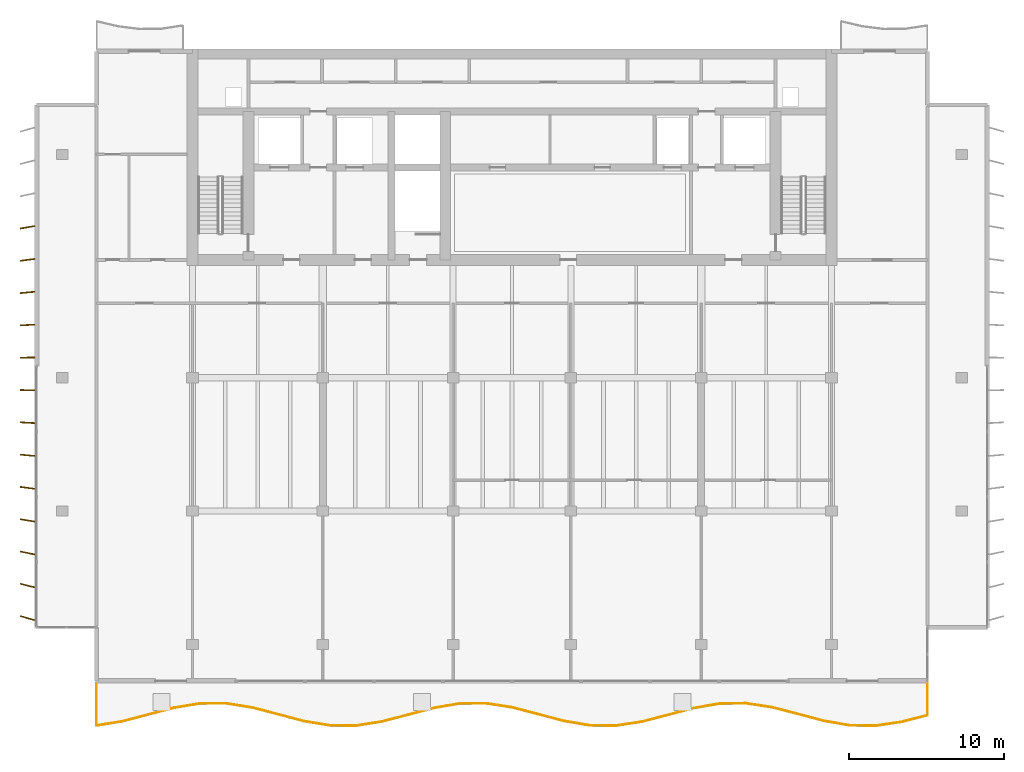
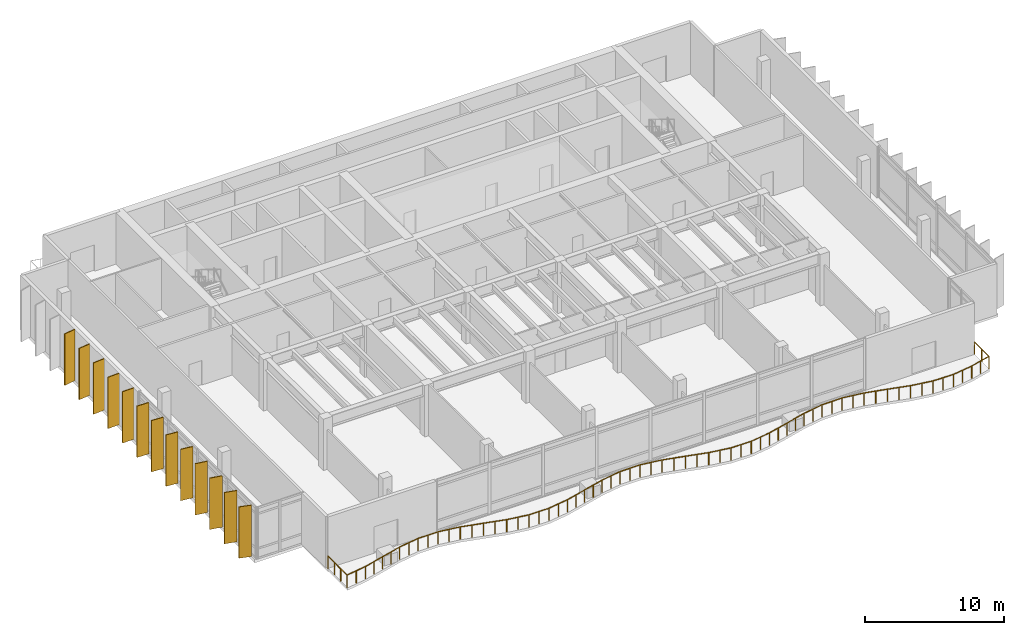
# One storey, part 9 of 14: 13 shading devices, 1 railing.
"""IFC4 building model written with IfcOpenShell, lengths in metres."""

from ifc_helpers import new_model, si_unit, direction, frame, origin, origin_2d, place, context, subcontext, project, spatial, rectangle, circle, extrude, material, material_profile, profile_set, type_object, element, save


model = new_model("IFC4")

# Units and contexts
model_context = context("Model", 3, precision=1e-05, world=origin(), true_north=direction((0.0, 1.0)))
body_context = subcontext(model_context, "Body", "Model", "MODEL_VIEW")
ifc_project = project(units=[si_unit("LENGTHUNIT", "METRE"), si_unit("AREAUNIT", "SQUARE_METRE"), si_unit("VOLUMEUNIT", "CUBIC_METRE"), si_unit("PLANEANGLEUNIT", "RADIAN"), si_unit("MASSUNIT", "GRAM", prefix="KILO")], contexts=[model_context])

# Site, building, storey
site_placement = place(None, origin())
site = spatial("IfcSite", under=ifc_project, at=site_placement, CompositionType="ELEMENT")
building_placement = place(site_placement, origin())
building = spatial("IfcBuilding", under=site, at=building_placement, Name="Caelmar Bay Residences", CompositionType="ELEMENT")
storey_placement = place(building_placement, frame((0.0, 0.0, 269.39990234375)))
storey = spatial("IfcBuildingStorey", under=building, at=storey_placement, Name="L76", CompositionType="ELEMENT", Elevation=269.39990234375)

# Railing
ifc_material_1 = material(Name="Anodised bronze handrail with laminated hurricane glass infill", Category="glass")
railing_type = type_object("IfcRailingType", Name="RL-BAL-1100", PredefinedType="BALUSTRADE", material=ifc_material_1)
railing_placement = place(storey_placement, frame((12.10009765625, 9.699951171875, 0.0)))
element("IfcRailing", 1, at=railing_placement, inside=storey, type_object=railing_type, Name="L76 south Balcony Balustrade", PredefinedType="BALUSTRADE", context=body_context, shape_type="SweptSolid", body=[
    extrude(circle(Radius=0.02392578125, at=origin_2d()), frame((0.0, 0.0, 1.076171875), z_axis=(0.0, -1.0, 0.0), x_axis=(1.0, 0.0, 0.0)), (0.0, 0.0, 1.0), 2.733154296875),
    extrude(circle(Radius=0.02392578125, at=origin_2d()), frame((0.0, -2.733154296875, 1.076171875), z_axis=(0.987138026326, 0.15987031301, 0.0), x_axis=(-0.15987031301, 0.987138026326, 0.0)), (0.0, 0.0, 1.0), 1.696533203125),
    extrude(circle(Radius=0.02392578125, at=origin_2d()), frame((1.6748046875, -2.4619140625, 1.076171875), z_axis=(0.967300607589, 0.25363267644, 0.0), x_axis=(-0.25363267644, 0.967300607589, 0.0)), (0.0, 0.0, 1.0), 1.731689453125),
    extrude(circle(Radius=0.02392578125, at=origin_2d()), frame((3.349853515625, -2.022705078125, 1.076171875), z_axis=(0.967162126657, 0.25416022655, 0.0), x_axis=(-0.25416022655, 0.967162126657, 0.0)), (0.0, 0.0, 1.0), 1.73193359375),
    extrude(circle(Radius=0.02392578125, at=origin_2d()), frame((5.02490234375, -1.58251953125, 1.076171875), z_axis=(0.986867913487, 0.161529320339, 0.0), x_axis=(-0.161529320339, 0.986867913487, 0.0)), (0.0, 0.0, 1.0), 1.697265625),
    extrude(circle(Radius=0.02392578125, at=origin_2d()), frame((6.699951171875, -1.308349609375, 1.076171875), z_axis=(0.999997280849, 0.00233201523, 0.0), x_axis=(-0.00233201523, 0.999997280849, 0.0)), (0.0, 0.0, 1.0), 1.675048828125),
    extrude(circle(Radius=0.02392578125, at=origin_2d()), frame((8.375, -1.304443359375, 1.076171875), z_axis=(0.987454102, -0.157906290072, 0.0), x_axis=(0.157906290072, 0.987454102, 0.0)), (0.0, 0.0, 1.0), 1.696044921875),
    extrude(circle(Radius=0.02392578125, at=origin_2d()), frame((10.0498046875, -1.572265625, 1.076171875), z_axis=(0.967473359595, -0.252972920436, 0.0), x_axis=(0.252972920436, 0.967473359595, 0.0)), (0.0, 0.0, 1.0), 1.7314453125),
    extrude(circle(Radius=0.02392578125, at=origin_2d()), frame((11.724853515625, -2.01025390625, 1.076171875), z_axis=(0.966988676914, -0.254819345264, 0.0), x_axis=(0.254819345264, 0.966988676914, 0.0)), (0.0, 0.0, 1.0), 1.732177734375),
    extrude(circle(Radius=0.02392578125, at=origin_2d()), frame((13.39990234375, -2.45166015625, 1.076171875), z_axis=(0.986545067367, -0.163489541116, 0.0), x_axis=(0.163489541116, 0.986545067367, 0.0)), (0.0, 0.0, 1.0), 1.697998046875),
    extrude(circle(Radius=0.02392578125, at=origin_2d()), frame((15.074951171875, -2.729248046875, 1.076171875), z_axis=(0.999987721509, -0.004955484992, 0.0), x_axis=(0.004955484992, 0.999987721509, 0.0)), (0.0, 0.0, 1.0), 1.675048828125),
    extrude(circle(Radius=0.02392578125, at=origin_2d()), frame((16.75, -2.737548828125, 1.076171875), z_axis=(0.987766467522, 0.155940391301, 0.0), x_axis=(-0.155940391301, 0.987766467522, 0.0)), (0.0, 0.0, 1.0), 1.695556640625),
    extrude(circle(Radius=0.02392578125, at=origin_2d()), frame((18.4248046875, -2.47314453125, 1.076171875), z_axis=(0.967714559403, 0.252048668948, 0.0), x_axis=(-0.252048668948, 0.967714559403, 0.0)), (0.0, 0.0, 1.0), 1.73095703125),
    extrude(circle(Radius=0.02392578125, at=origin_2d()), frame((20.099853515625, -2.036865234375, 1.076171875), z_axis=(0.966780026886, 0.255609819089, 0.0), x_axis=(-0.255609819089, 0.966780026886, 0.0)), (0.0, 0.0, 1.0), 1.732666015625),
    extrude(circle(Radius=0.02392578125, at=origin_2d()), frame((21.77490234375, -1.593994140625, 1.076171875), z_axis=(0.986218543932, 0.16544782744, 0.0), x_axis=(-0.16544782744, 0.986218543932, 0.0)), (0.0, 0.0, 1.0), 1.698486328125),
    extrude(circle(Radius=0.02392578125, at=origin_2d()), frame((23.449951171875, -1.31298828125, 1.076171875), z_axis=(0.999972374031, 0.007433113406, 0.0), x_axis=(-0.007433113406, 0.999972374031, 0.0)), (0.0, 0.0, 1.0), 1.675048828125),
    extrude(circle(Radius=0.02392578125, at=origin_2d()), frame((25.125, -1.300537109375, 1.076171875), z_axis=(0.988118899604, -0.153691379866, 0.0), x_axis=(0.153691379866, 0.988118899604, 0.0)), (0.0, 0.0, 1.0), 1.69482421875),
    extrude(circle(Radius=0.02392578125, at=origin_2d()), frame((26.7998046875, -1.56103515625, 1.076171875), z_axis=(0.967886377615, -0.251388066595, 0.0), x_axis=(0.251388066595, 0.967886377615, 0.0)), (0.0, 0.0, 1.0), 1.730712890625),
    extrude(circle(Radius=0.02392578125, at=origin_2d()), frame((28.474853515625, -1.99609375, 1.076171875), z_axis=(0.966605727396, -0.256268155973, 0.0), x_axis=(0.256268155973, 0.966605727396, 0.0)), (0.0, 0.0, 1.0), 1.73291015625),
    extrude(circle(Radius=0.02392578125, at=origin_2d()), frame((30.14990234375, -2.440185546875, 1.076171875), z_axis=(0.985888354551, -0.167404158731, 0.0), x_axis=(0.167404158731, 0.985888354551, 0.0)), (0.0, 0.0, 1.0), 1.698974609375),
    extrude(circle(Radius=0.02392578125, at=origin_2d()), frame((31.824951171875, -2.724609375, 1.076171875), z_axis=(0.99994943379, -0.010056334489, 0.0), x_axis=(0.010056334489, 0.99994943379, 0.0)), (0.0, 0.0, 1.0), 1.675048828125),
    extrude(circle(Radius=0.02392578125, at=origin_2d()), frame((33.5, -2.741455078125, 1.076171875), z_axis=(0.988401660792, 0.151862295988, 0.0), x_axis=(-0.151862295988, 0.988401660792, 0.0)), (0.0, 0.0, 1.0), 1.6943359375),
    extrude(circle(Radius=0.02392578125, at=origin_2d()), frame((35.1748046875, -2.484130859375, 1.076171875), z_axis=(0.968126267336, 0.250462632928, 0.0), x_axis=(-0.250462632928, 0.968126267336, 0.0)), (0.0, 0.0, 1.0), 1.730224609375),
    extrude(circle(Radius=0.02392578125, at=origin_2d()), frame((36.849853515625, -2.05078125, 1.076171875), z_axis=(0.96646601047, 0.25679456888, 0.0), x_axis=(-0.25679456888, 0.96646601047, 0.0)), (0.0, 0.0, 1.0), 1.733154296875),
    extrude(circle(Radius=0.02392578125, at=origin_2d()), frame((38.52490234375, -1.605712890625, 1.076171875), z_axis=(0.985554510699, 0.169358514519, 0.0), x_axis=(-0.169358514519, 0.985554510699, 0.0)), (0.0, 0.0, 1.0), 1.69970703125),
    extrude(circle(Radius=0.02392578125, at=origin_2d()), frame((40.199951171875, -1.31787109375, 1.076171875), z_axis=(0.999919613837, 0.012679347967, 0.0), x_axis=(-0.012679347967, 0.999919613837, 0.0)), (0.0, 0.0, 1.0), 1.67529296875),
    extrude(circle(Radius=0.02392578125, at=origin_2d()), frame((41.875, -1.296630859375, 1.076171875), z_axis=(0.988745242663, -0.149608974036, 0.0), x_axis=(0.149608974036, 0.988745242663, 0.0)), (0.0, 0.0, 1.0), 1.69384765625),
    extrude(circle(Radius=0.02392578125, at=origin_2d()), frame((43.5498046875, -1.550048828125, 1.076171875), z_axis=(0.968331276877, -0.249668857134, 0.0), x_axis=(0.249668857134, 0.968331276877, 0.0)), (0.0, 0.0, 1.0), 1.729736328125),
    extrude(circle(Radius=0.02392578125, at=origin_2d()), frame((45.224853515625, -1.98193359375, 1.076171875), z_axis=(0.966255973692, -0.257583759785, 0.0), x_axis=(0.257583759785, 0.966255973692, 0.0)), (0.0, 0.0, 1.0), 1.733642578125),
    extrude(circle(Radius=0.02392578125, at=origin_2d()), frame((46.89990234375, -2.428466796875, 1.076171875), z_axis=(0.985217023958, -0.171310874447, 0.0), x_axis=(0.171310874447, 0.985217023958, 0.0)), (0.0, 0.0, 1.0), 1.7001953125),
    extrude(circle(Radius=0.02392578125, at=origin_2d()), frame((48.574951171875, -2.7197265625, 1.076171875), z_axis=(0.999885135187, -0.015156399076, 0.0), x_axis=(0.015156399076, 0.999885135187, 0.0)), (0.0, 0.0, 1.0), 1.67529296875),
    extrude(circle(Radius=0.02392578125, at=origin_2d()), frame((50.25, -2.7451171875, 1.076171875), z_axis=(0.989062896052, 0.147494364819, 0.0), x_axis=(-0.147494364819, 0.989062896052, 0.0)), (0.0, 0.0, 1.0), 1.693359375),
    extrude(circle(Radius=0.02392578125, at=origin_2d()), frame((51.9248046875, -2.495361328125, 1.076171875), z_axis=(0.968535721886, 0.248874577712, 0.0), x_axis=(-0.248874577712, 0.968535721886, 0.0)), (0.0, 0.0, 1.0), 1.7294921875),
    extrude(circle(Radius=0.02392578125, at=origin_2d()), frame((53.599853515625, -2.06494140625, 1.076171875), z_axis=(0.0, 1.0, 0.0), x_axis=(-1.0, 0.0, 0.0)), (0.0, 0.0, 1.0), 2.06494140625),
    extrude(circle(Radius=0.02099609375, at=origin_2d()), origin(), (0.0, 0.0, 1.0), 1.052001953125),
    extrude(circle(Radius=0.02099609375, at=origin_2d()), frame((0.0, -0.9111328125, 0.0)), (0.0, 0.0, 1.0), 1.052001953125),
    extrude(circle(Radius=0.02099609375, at=origin_2d()), frame((0.0, -1.822021484375, 0.0)), (0.0, 0.0, 1.0), 1.052001953125),
    extrude(circle(Radius=0.02099609375, at=origin_2d()), frame((0.0, -2.733154296875, 0.0)), (0.0, 0.0, 1.0), 1.052001953125),
    extrude(circle(Radius=0.02099609375, at=origin_2d()), frame((0.83740234375, -2.59765625, 0.0)), (0.0, 0.0, 1.0), 1.052001953125),
    extrude(circle(Radius=0.02099609375, at=origin_2d()), frame((1.6748046875, -2.4619140625, 0.0)), (0.0, 0.0, 1.0), 1.052001953125),
    extrude(circle(Radius=0.02099609375, at=origin_2d()), frame((2.51220703125, -2.2421875, 0.0)), (0.0, 0.0, 1.0), 1.052001953125),
    extrude(circle(Radius=0.02099609375, at=origin_2d()), frame((3.349853515625, -2.022705078125, 0.0)), (0.0, 0.0, 1.0), 1.052001953125),
    extrude(circle(Radius=0.02099609375, at=origin_2d()), frame((4.1875, -1.802734375, 0.0)), (0.0, 0.0, 1.0), 1.052001953125),
    extrude(circle(Radius=0.02099609375, at=origin_2d()), frame((5.02490234375, -1.58251953125, 0.0)), (0.0, 0.0, 1.0), 1.052001953125),
    extrude(circle(Radius=0.02099609375, at=origin_2d()), frame((5.8623046875, -1.4453125, 0.0)), (0.0, 0.0, 1.0), 1.052001953125),
    extrude(circle(Radius=0.02099609375, at=origin_2d()), frame((6.699951171875, -1.308349609375, 0.0)), (0.0, 0.0, 1.0), 1.052001953125),
    extrude(circle(Radius=0.02099609375, at=origin_2d()), frame((7.53759765625, -1.306396484375, 0.0)), (0.0, 0.0, 1.0), 1.052001953125),
    extrude(circle(Radius=0.02099609375, at=origin_2d()), frame((8.375, -1.304443359375, 0.0)), (0.0, 0.0, 1.0), 1.052001953125),
    extrude(circle(Radius=0.02099609375, at=origin_2d()), frame((9.21240234375, -1.4384765625, 0.0)), (0.0, 0.0, 1.0), 1.052001953125),
    extrude(circle(Radius=0.02099609375, at=origin_2d()), frame((10.0498046875, -1.572265625, 0.0)), (0.0, 0.0, 1.0), 1.052001953125),
    extrude(circle(Radius=0.02099609375, at=origin_2d()), frame((10.88720703125, -1.791259765625, 0.0)), (0.0, 0.0, 1.0), 1.052001953125),
    extrude(circle(Radius=0.02099609375, at=origin_2d()), frame((11.724853515625, -2.01025390625, 0.0)), (0.0, 0.0, 1.0), 1.052001953125),
    extrude(circle(Radius=0.02099609375, at=origin_2d()), frame((12.5625, -2.23095703125, 0.0)), (0.0, 0.0, 1.0), 1.052001953125),
    extrude(circle(Radius=0.02099609375, at=origin_2d()), frame((13.39990234375, -2.45166015625, 0.0)), (0.0, 0.0, 1.0), 1.052001953125),
    extrude(circle(Radius=0.02099609375, at=origin_2d()), frame((14.2373046875, -2.59033203125, 0.0)), (0.0, 0.0, 1.0), 1.052001953125),
    extrude(circle(Radius=0.02099609375, at=origin_2d()), frame((15.074951171875, -2.729248046875, 0.0)), (0.0, 0.0, 1.0), 1.052001953125),
    extrude(circle(Radius=0.02099609375, at=origin_2d()), frame((15.91259765625, -2.7333984375, 0.0)), (0.0, 0.0, 1.0), 1.052001953125),
    extrude(circle(Radius=0.02099609375, at=origin_2d()), frame((16.75, -2.737548828125, 0.0)), (0.0, 0.0, 1.0), 1.052001953125),
    extrude(circle(Radius=0.02099609375, at=origin_2d()), frame((17.58740234375, -2.60546875, 0.0)), (0.0, 0.0, 1.0), 1.052001953125),
    extrude(circle(Radius=0.02099609375, at=origin_2d()), frame((18.4248046875, -2.47314453125, 0.0)), (0.0, 0.0, 1.0), 1.052001953125),
    extrude(circle(Radius=0.02099609375, at=origin_2d()), frame((19.26220703125, -2.2548828125, 0.0)), (0.0, 0.0, 1.0), 1.052001953125),
    extrude(circle(Radius=0.02099609375, at=origin_2d()), frame((20.099853515625, -2.036865234375, 0.0)), (0.0, 0.0, 1.0), 1.052001953125),
    extrude(circle(Radius=0.02099609375, at=origin_2d()), frame((20.9375, -1.8154296875, 0.0)), (0.0, 0.0, 1.0), 1.052001953125),
    extrude(circle(Radius=0.02099609375, at=origin_2d()), frame((21.77490234375, -1.593994140625, 0.0)), (0.0, 0.0, 1.0), 1.052001953125),
    extrude(circle(Radius=0.02099609375, at=origin_2d()), frame((22.6123046875, -1.45361328125, 0.0)), (0.0, 0.0, 1.0), 1.052001953125),
    extrude(circle(Radius=0.02099609375, at=origin_2d()), frame((23.449951171875, -1.31298828125, 0.0)), (0.0, 0.0, 1.0), 1.052001953125),
    extrude(circle(Radius=0.02099609375, at=origin_2d()), frame((24.28759765625, -1.306640625, 0.0)), (0.0, 0.0, 1.0), 1.052001953125),
    extrude(circle(Radius=0.02099609375, at=origin_2d()), frame((25.125, -1.300537109375, 0.0)), (0.0, 0.0, 1.0), 1.052001953125),
    extrude(circle(Radius=0.02099609375, at=origin_2d()), frame((25.96240234375, -1.4306640625, 0.0)), (0.0, 0.0, 1.0), 1.052001953125),
    extrude(circle(Radius=0.02099609375, at=origin_2d()), frame((26.7998046875, -1.56103515625, 0.0)), (0.0, 0.0, 1.0), 1.052001953125),
    extrude(circle(Radius=0.02099609375, at=origin_2d()), frame((27.63720703125, -1.778564453125, 0.0)), (0.0, 0.0, 1.0), 1.052001953125),
    extrude(circle(Radius=0.02099609375, at=origin_2d()), frame((28.474853515625, -1.99609375, 0.0)), (0.0, 0.0, 1.0), 1.052001953125),
    extrude(circle(Radius=0.02099609375, at=origin_2d()), frame((29.3125, -2.21826171875, 0.0)), (0.0, 0.0, 1.0), 1.052001953125),
    extrude(circle(Radius=0.02099609375, at=origin_2d()), frame((30.14990234375, -2.440185546875, 0.0)), (0.0, 0.0, 1.0), 1.052001953125),
    extrude(circle(Radius=0.02099609375, at=origin_2d()), frame((30.9873046875, -2.58251953125, 0.0)), (0.0, 0.0, 1.0), 1.052001953125),
    extrude(circle(Radius=0.02099609375, at=origin_2d()), frame((31.824951171875, -2.724609375, 0.0)), (0.0, 0.0, 1.0), 1.052001953125),
    extrude(circle(Radius=0.02099609375, at=origin_2d()), frame((32.66259765625, -2.73291015625, 0.0)), (0.0, 0.0, 1.0), 1.052001953125),
    extrude(circle(Radius=0.02099609375, at=origin_2d()), frame((33.5, -2.741455078125, 0.0)), (0.0, 0.0, 1.0), 1.052001953125),
    extrude(circle(Radius=0.02099609375, at=origin_2d()), frame((34.33740234375, -2.61279296875, 0.0)), (0.0, 0.0, 1.0), 1.052001953125),
    extrude(circle(Radius=0.02099609375, at=origin_2d()), frame((35.1748046875, -2.484130859375, 0.0)), (0.0, 0.0, 1.0), 1.052001953125),
    extrude(circle(Radius=0.02099609375, at=origin_2d()), frame((36.01220703125, -2.267578125, 0.0)), (0.0, 0.0, 1.0), 1.052001953125),
    extrude(circle(Radius=0.02099609375, at=origin_2d()), frame((36.849853515625, -2.05078125, 0.0)), (0.0, 0.0, 1.0), 1.052001953125),
    extrude(circle(Radius=0.02099609375, at=origin_2d()), frame((37.6875, -1.828125, 0.0)), (0.0, 0.0, 1.0), 1.052001953125),
    extrude(circle(Radius=0.02099609375, at=origin_2d()), frame((38.52490234375, -1.605712890625, 0.0)), (0.0, 0.0, 1.0), 1.052001953125),
    extrude(circle(Radius=0.02099609375, at=origin_2d()), frame((39.3623046875, -1.4619140625, 0.0)), (0.0, 0.0, 1.0), 1.052001953125),
    extrude(circle(Radius=0.02099609375, at=origin_2d()), frame((40.199951171875, -1.31787109375, 0.0)), (0.0, 0.0, 1.0), 1.052001953125),
    extrude(circle(Radius=0.02099609375, at=origin_2d()), frame((41.03759765625, -1.30712890625, 0.0)), (0.0, 0.0, 1.0), 1.052001953125),
    extrude(circle(Radius=0.02099609375, at=origin_2d()), frame((41.875, -1.296630859375, 0.0)), (0.0, 0.0, 1.0), 1.052001953125),
    extrude(circle(Radius=0.02099609375, at=origin_2d()), frame((42.71240234375, -1.42333984375, 0.0)), (0.0, 0.0, 1.0), 1.052001953125),
    extrude(circle(Radius=0.02099609375, at=origin_2d()), frame((43.5498046875, -1.550048828125, 0.0)), (0.0, 0.0, 1.0), 1.052001953125),
    extrude(circle(Radius=0.02099609375, at=origin_2d()), frame((44.38720703125, -1.76611328125, 0.0)), (0.0, 0.0, 1.0), 1.052001953125),
    extrude(circle(Radius=0.02099609375, at=origin_2d()), frame((45.224853515625, -1.98193359375, 0.0)), (0.0, 0.0, 1.0), 1.052001953125),
    extrude(circle(Radius=0.02099609375, at=origin_2d()), frame((46.0625, -2.205078125, 0.0)), (0.0, 0.0, 1.0), 1.052001953125),
    extrude(circle(Radius=0.02099609375, at=origin_2d()), frame((46.89990234375, -2.428466796875, 0.0)), (0.0, 0.0, 1.0), 1.052001953125),
    extrude(circle(Radius=0.02099609375, at=origin_2d()), frame((47.7373046875, -2.57421875, 0.0)), (0.0, 0.0, 1.0), 1.052001953125),
    extrude(circle(Radius=0.02099609375, at=origin_2d()), frame((48.574951171875, -2.7197265625, 0.0)), (0.0, 0.0, 1.0), 1.052001953125),
    extrude(circle(Radius=0.02099609375, at=origin_2d()), frame((49.41259765625, -2.732421875, 0.0)), (0.0, 0.0, 1.0), 1.052001953125),
    extrude(circle(Radius=0.02099609375, at=origin_2d()), frame((50.25, -2.7451171875, 0.0)), (0.0, 0.0, 1.0), 1.052001953125),
    extrude(circle(Radius=0.02099609375, at=origin_2d()), frame((51.08740234375, -2.6201171875, 0.0)), (0.0, 0.0, 1.0), 1.052001953125),
    extrude(circle(Radius=0.02099609375, at=origin_2d()), frame((51.9248046875, -2.495361328125, 0.0)), (0.0, 0.0, 1.0), 1.052001953125),
    extrude(circle(Radius=0.02099609375, at=origin_2d()), frame((52.76220703125, -2.2802734375, 0.0)), (0.0, 0.0, 1.0), 1.052001953125),
    extrude(circle(Radius=0.02099609375, at=origin_2d()), frame((53.599853515625, -2.06494140625, 0.0)), (0.0, 0.0, 1.0), 1.052001953125),
    extrude(circle(Radius=0.02099609375, at=origin_2d()), frame((53.599853515625, -1.032470703125, 0.0)), (0.0, 0.0, 1.0), 1.052001953125),
    extrude(circle(Radius=0.02099609375, at=origin_2d()), frame((53.599853515625, 0.0, 0.0)), (0.0, 0.0, 1.0), 1.052001953125),
])

# Shading devices
ifc_material_2 = material(Name="Anodised architectural bronze aluminium 6063-T6", Category="aluminium")
ifc_material_profile = material_profile(ifc_material_2, rectangle(XDim=0.074951171875, YDim=0.949951171875, at=origin_2d()), Name="BRONZE-FIN-75X950")
ifc_profile_set = profile_set([ifc_material_profile], Name="Anodised architectural bronze aluminium 6063-T6")
shading_device_type = type_object("IfcShadingDeviceType", Name="SHD-FIN-950", PredefinedType="USERDEFINED", material=ifc_profile_set)
for number, where, z_axis, x_axis, name in (
    (2, (7.64990234375, 13.89990234375, 0.0), (0.0, 0.0, 1.0), (0.275637355817, 0.961261695938, 0.0), "L76 West Bronze Solar Fin 1"),
    (3, (7.64990234375, 16.0, 0.0), (0.0, 0.0, 1.0), (0.239719743609, 0.970842131618, 0.0), "L76 West Bronze Solar Fin 2"),
    (4, (7.64990234375, 18.10009765625, 0.0), (0.0, 0.0, 1.0), (0.2032999874, 0.979116497217, 0.0), "L76 West Bronze Solar Fin 3"),
    (5, (7.64990234375, 20.199951171875, 0.0), (0.0, 0.0, 1.0), (0.166768746716, 0.985996037071, 0.0), "L76 West Bronze Solar Fin 4"),
    (6, (7.64990234375, 22.300048828125, 0.0), (0.0, 0.0, 1.0), (0.130007055036, 0.99151306882, 0.0), "L76 West Bronze Solar Fin 5"),
    (7, (7.64990234375, 24.39990234375, 0.0), (0.0, 0.0, 1.0), (0.092891934994, 0.995676196569, 0.0), "L76 West Bronze Solar Fin 6"),
    (8, (7.64990234375, 26.5, 0.0), (0.0, 0.0, 1.0), (0.055821504993, 0.998440764182, 0.0), "L76 West Bronze Solar Fin 7"),
    (9, (7.64990234375, 28.60009765625, 0.0), (0.0, 0.0, 1.0), (0.018673937509, 0.999825626826, 0.0), "L76 West Bronze Solar Fin 8"),
    (10, (7.64990234375, 30.699951171875, 0.0), (0.0, 0.0, 1.0), (-0.018673937509, 0.999825626826, 0.0), "L76 West Bronze Solar Fin 9"),
    (11, (7.64990234375, 32.800048828125, 0.0), (0.0, 0.0, 1.0), (-0.055821504993, 0.998440764182, 0.0), "L76 West Bronze Solar Fin 10"),
    (12, (7.64990234375, 34.89990234375, 0.0), (0.0, 0.0, 1.0), (-0.092891934994, 0.995676196569, 0.0), "L76 West Bronze Solar Fin 11"),
    (13, (7.64990234375, 37.0, 0.0), (0.0, 0.0, 1.0), (-0.130007055036, 0.99151306882, 0.0), "L76 West Bronze Solar Fin 12"),
    (14, (7.64990234375, 39.10009765625, 0.0), (0.0, 0.0, 1.0), (-0.166768746716, 0.985996037071, 0.0), "L76 West Bronze Solar Fin 13"),
):
    element("IfcShadingDevice", number, at=place(storey_placement, frame(where, z_axis=z_axis, x_axis=x_axis)), inside=storey, type_object=shading_device_type, Name=name, ObjectType="FIN", PredefinedType="USERDEFINED", context=body_context, shape_type="SweptSolid", body=[
        extrude(rectangle(XDim=0.074951171875, YDim=0.949951171875, at=origin_2d()), origin(), (0.0, 0.0, 1.0), 4.5),
    ])

save(model, "model.ifc")
